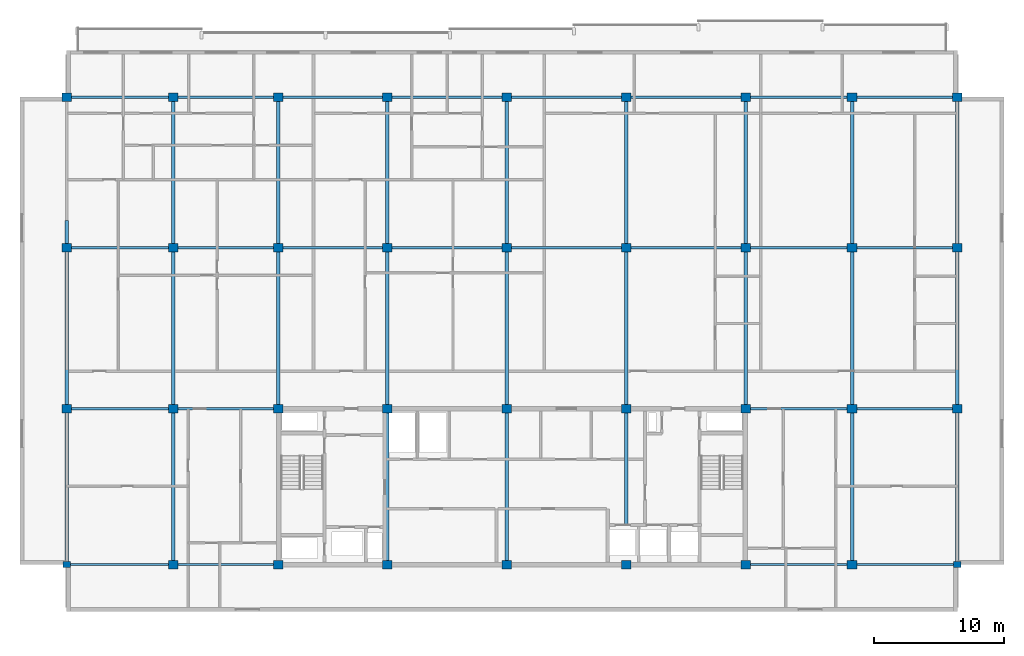
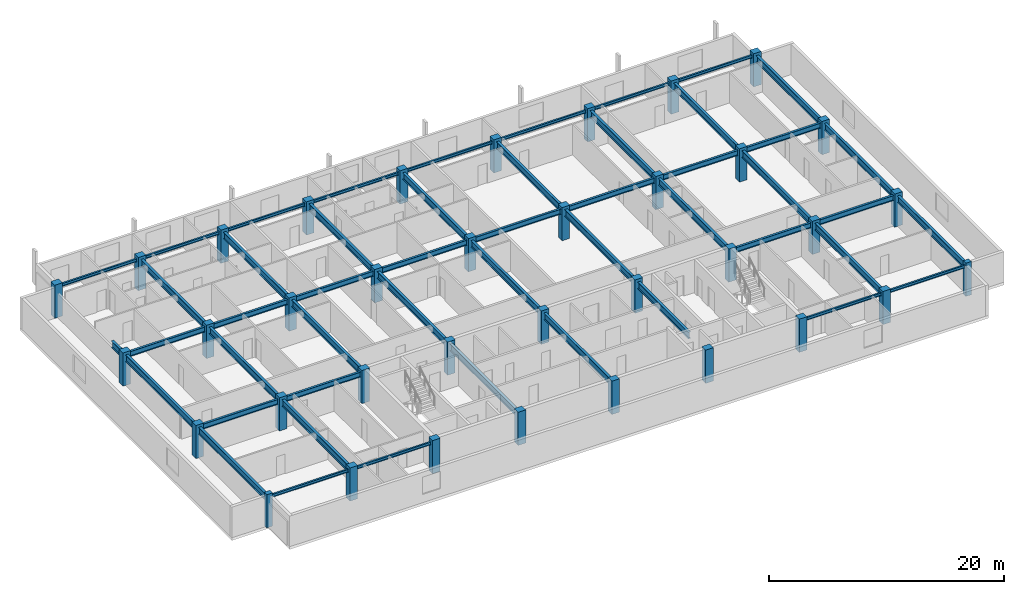
# One storey, part 1 of 11: 49 beams, 36 columns.
"""IFC4 building model written with IfcOpenShell, lengths in metres."""

import ifcopenshell
import ifcopenshell.guid

model = None  # the IFC model being written
_history = None  # IfcOwnerHistory: only IFC2X3 demands one
_inside = {}  # id of a spatial element -> (the spatial element, [elements in it])
_under = {}  # id of a project, library or spatial element -> (it, [spatial elements below it])
_declared = {}  # id of a project -> (the project, [libraries it declares])
_typed = {}  # id of a type object -> (the type object, [elements of that type])
_made_of = {}  # id of a material, layer set ... -> (it, [elements and type objects made of it])


def new_model(schema):
    """Start an empty IFC model of exactly this schema.

    Asked for "IFC4X3", IfcOpenShell would pick the latest addendum, in which some entities
    have other attributes; the version numbers below select the first issue.
    IFC2X3 requires an IfcOwnerHistory on every rooted entity: one is made here for all.
    """
    global model, _history
    if schema == "IFC4X3":
        model = ifcopenshell.file(schema_version=(4, 3, 0, 0))
    else:
        model = ifcopenshell.file(schema=schema)
    _inside.clear()
    _under.clear()
    _declared.clear()
    _typed.clear()
    _made_of.clear()
    _history = None
    if model.schema == "IFC2X3":
        org = make("IfcOrganization", Name="unknown")
        user = make(
            "IfcPersonAndOrganization",
            ThePerson=make("IfcPerson", FamilyName="unknown"),
            TheOrganization=org,
        )
        app = make(
            "IfcApplication",
            ApplicationDeveloper=org,
            Version="unknown",
            ApplicationFullName="unknown",
            ApplicationIdentifier="unknown",
        )
        _history = make(
            "IfcOwnerHistory",
            OwningUser=user,
            OwningApplication=app,
            ChangeAction="ADDED",
            CreationDate=0,
        )
    return model


def make(cls, **values):
    """One entity of the class cls with the attributes given. An attribute that is None is left unset."""
    return model.create_entity(
        cls, **{name: value for name, value in values.items() if value is not None}
    )


def rooted(cls, **values):
    """An entity with a GlobalId (a new one), such as an element, a storey or a relation."""
    return make(cls, GlobalId=ifcopenshell.guid.new(), OwnerHistory=_history, **values)


def si_unit(unit_type, name, prefix=None):
    """IfcSIUnit, for example si_unit("LENGTHUNIT", "METRE", prefix="MILLI")."""
    return make("IfcSIUnit", UnitType=unit_type, Prefix=prefix, Name=name)


def assignment(units):
    """IfcUnitAssignment: the units of a project."""
    return None if units is None else make("IfcUnitAssignment", Units=units)


def point(xyz):
    """IfcCartesianPoint."""
    return None if xyz is None else make("IfcCartesianPoint", Coordinates=xyz)


def direction(xyz):
    """IfcDirection."""
    return None if xyz is None else make("IfcDirection", DirectionRatios=xyz)


def frame(location, z_axis=None, x_axis=None):
    """IfcAxis2Placement3D, a coordinate frame: its origin and axes. An axis left out is left unset."""
    return make(
        "IfcAxis2Placement3D",
        Location=point(location),
        Axis=direction(z_axis),
        RefDirection=direction(x_axis),
    )


def frame_2d(location, x_axis=None):
    """IfcAxis2Placement2D, a coordinate frame in the plane: its origin and x axis."""
    return make(
        "IfcAxis2Placement2D", Location=point(location), RefDirection=direction(x_axis)
    )


def origin():
    """The frame at (0, 0, 0) with its axes left unset."""
    return frame((0.0, 0.0, 0.0))


def origin_2d():
    """The frame at (0, 0) in the plane with its x axis left unset."""
    return frame_2d((0.0, 0.0))


def place(relative_to, where):
    """IfcLocalPlacement: puts the frame where relative to a parent placement (None: the world)."""
    return make(
        "IfcLocalPlacement", PlacementRelTo=relative_to, RelativePlacement=where
    )


def context(
    kind, dimensions, precision=None, world=None, true_north=None, identifier=None
):
    """IfcGeometricRepresentationContext, for example the 3D "Model" context."""
    return make(
        "IfcGeometricRepresentationContext",
        ContextIdentifier=identifier,
        ContextType=kind,
        CoordinateSpaceDimension=dimensions,
        Precision=precision,
        WorldCoordinateSystem=world,
        TrueNorth=true_north,
    )


def subcontext(parent, identifier, kind, view, scale=None):
    """IfcGeometricRepresentationSubContext, for example "Body" below "Model"."""
    return make(
        "IfcGeometricRepresentationSubContext",
        ContextIdentifier=identifier,
        ContextType=kind,
        ParentContext=parent,
        TargetScale=scale,
        TargetView=view,
    )


def project(units=None, contexts=None):
    """IfcProject with its units and contexts."""
    return rooted(
        "IfcProject",
        Name="project",
        RepresentationContexts=contexts,
        UnitsInContext=assignment(units),
    )


def spatial(cls, under=None, at=None, **own):
    """A site, building, storey or space (cls), placed at a placement, below another one or the project."""
    s = rooted(cls, ObjectPlacement=at, **own)
    if under is not None:
        _under.setdefault(under.id(), (under, []))[1].append(s)
    return s


def profile(cls, at=None, kind="AREA", **sizes):
    """A parametric profile (cls). Its sizes go by their IFC names, for example OverallWidth=200.0."""
    return make(cls, ProfileType=kind, Position=at, **sizes)


def rectangle(**sizes):
    """IfcRectangleProfileDef."""
    return profile("IfcRectangleProfileDef", **sizes)


def i_section(**sizes):
    """IfcIShapeProfileDef."""
    return profile("IfcIShapeProfileDef", **sizes)


def extrude(swept, where, along, depth):
    """IfcExtrudedAreaSolid: the profile swept, set in the frame where, extruded along a direction by depth."""
    return make(
        "IfcExtrudedAreaSolid",
        SweptArea=swept,
        Position=where,
        ExtrudedDirection=direction(along),
        Depth=depth,
    )


def shape(context_of_items, identifier, shape_type, items):
    """IfcShapeRepresentation: the items that make up one representation, for example the "Body"."""
    return make(
        "IfcShapeRepresentation",
        ContextOfItems=context_of_items,
        RepresentationIdentifier=identifier,
        RepresentationType=shape_type,
        Items=items,
    )


def material(Name=None, Category=None):
    """IfcMaterial."""
    return make("IfcMaterial", Name=Name, Category=Category)


def material_profile(
    of_material, cross_section, Name=None, Category=None, Priority=None
):
    """IfcMaterialProfile: a cross section and its material."""
    return make(
        "IfcMaterialProfile",
        Name=Name,
        Material=of_material,
        Profile=cross_section,
        Priority=Priority,
        Category=Category,
    )


def profile_set(profiles, Name=None, composite=None):
    """IfcMaterialProfileSet."""
    return make(
        "IfcMaterialProfileSet",
        Name=Name,
        MaterialProfiles=profiles,
        CompositeProfile=composite,
    )


def made_of(thing, what):
    """Note that an element or type object is made of a material, layer set ...; save() writes the relation."""
    if what is not None:
        _made_of.setdefault(what.id(), (what, []))[1].append(thing)
    return thing


def type_object(cls, material=None, **own):
    """A type object (cls), such as IfcWallType, which elements share."""
    return made_of(rooted(cls, **own), material)


def element(
    cls,
    number,
    at=None,
    inside=None,
    cuts=None,
    type_object=None,
    material=None,
    context=None,
    identifier="Body",
    shape_type=None,
    held_by="IfcProductDefinitionShape",
    body=None,
    shapes=None,
    **own,
):
    """One element of the class cls, such as IfcWall. Its Tag is "e" and its number.

    at: its placement. inside: the storey or other place that contains it. cuts: it is an
    opening in that element (IfcRelVoidsElement). A single representation is given by context,
    identifier, shape_type and body (its items); several are given by shapes. held_by: the class
    of the entity that holds the representations. save() writes the other relations.
    """
    e = rooted(cls, Tag="e%d" % number, ObjectPlacement=at, **own)
    if body is not None:
        shapes = [shape(context, identifier, shape_type, body)]
    if shapes is not None:
        e.Representation = make(held_by, Representations=shapes)
    if inside is not None:
        _inside.setdefault(inside.id(), (inside, []))[1].append(e)
    if cuts is not None:
        rooted(
            "IfcRelVoidsElement", RelatingBuildingElement=cuts, RelatedOpeningElement=e
        )
    if type_object is not None:
        _typed.setdefault(type_object.id(), (type_object, []))[1].append(e)
    return made_of(e, material)


def aggregate(whole, parts):
    """IfcRelAggregates: a whole, such as a stair, and the parts it consists of."""
    return rooted("IfcRelAggregates", RelatingObject=whole, RelatedObjects=parts)


def save(model, path):
    """Write the relations noted so far, then the file.

    IfcRelAggregates (storeys below a building ...), IfcRelContainedInSpatialStructure (elements
    in a storey), IfcRelDefinesByType, IfcRelAssociatesMaterial and IfcRelDeclares: one each for
    every whole, place, type object, material and project.
    """
    for whole, parts in _under.values():
        aggregate(whole, parts)
    for where, things in _inside.values():
        rooted(
            "IfcRelContainedInSpatialStructure",
            RelatedElements=things,
            RelatingStructure=where,
        )
    for kind, things in _typed.values():
        rooted("IfcRelDefinesByType", RelatedObjects=things, RelatingType=kind)
    for what, things in _made_of.values():
        rooted("IfcRelAssociatesMaterial", RelatedObjects=things, RelatingMaterial=what)
    for by, libraries in _declared.values():
        rooted("IfcRelDeclares", RelatingContext=by, RelatedDefinitions=libraries)
    model.write(path)


model = new_model("IFC4")

# Units and contexts
model_context = context("Model", 3, precision=1e-05, world=origin(), true_north=direction((0.0, 1.0)))
body_context = subcontext(model_context, "Body", "Model", "MODEL_VIEW")
ifc_project = project(units=[si_unit("LENGTHUNIT", "METRE"), si_unit("AREAUNIT", "SQUARE_METRE"), si_unit("VOLUMEUNIT", "CUBIC_METRE"), si_unit("PLANEANGLEUNIT", "RADIAN"), si_unit("MASSUNIT", "GRAM", prefix="KILO")], contexts=[model_context])

# Site, building, storey
site_placement = place(None, origin())
site = spatial("IfcSite", under=ifc_project, at=site_placement, CompositionType="ELEMENT")
building_placement = place(site_placement, origin())
building = spatial("IfcBuilding", under=site, at=building_placement, Name="Korimba Cascade Residences", CompositionType="ELEMENT")
storey_placement = place(building_placement, frame((0.0, 0.0, 249.35009765625)))
storey = spatial("IfcBuildingStorey", under=building, at=storey_placement, Name="L72", CompositionType="ELEMENT", Elevation=249.35009765625)

# Columns
ifc_material_1 = material(Name="Concrete C65/80", Category="concrete")
ifc_material_profile_1 = material_profile(ifc_material_1, rectangle(XDim=0.550048828125, YDim=0.449951171875, at=origin_2d()), Name="Concrete C65/80")
ifc_profile_set_1 = profile_set([ifc_material_profile_1], Name="Concrete C65/80")
column_type_1 = type_object("IfcColumnType", Name="COL-PIL-550", PredefinedType="PILASTER", material=ifc_profile_set_1)
for number, where, z_axis, x_axis, name in (
    (1, (59.800048828125, 55.199951171875, 0.0), (0.0, 0.0, 1.0), (1.0, 0.0, 0.0), "L72 Tower 1 Column 1.1"),
    (2, (128.39990234375, 55.199951171875, 0.0), (0.0, 0.0, 1.0), (1.0, 0.0, 0.0), "L72 Tower 1 Column 9.1"),
):
    element("IfcColumn", number, at=place(storey_placement, frame(where, z_axis=z_axis, x_axis=x_axis)), inside=storey, type_object=column_type_1, Name=name, PredefinedType="PILASTER", context=body_context, shape_type="SweptSolid", body=[
        extrude(rectangle(XDim=0.550048828125, YDim=0.449951171875, at=origin_2d()), origin(), (0.0, 0.0, 1.0), 3.449951171875),
    ])
ifc_material_2 = material(Name="Concrete C50/60", Category="concrete")
ifc_material_profile_2 = material_profile(ifc_material_2, rectangle(XDim=0.75, YDim=0.64990234375, at=origin_2d()), Name="Concrete C50/60")
ifc_profile_set_2 = profile_set([ifc_material_profile_2], Name="Concrete C50/60")
column_type_2 = type_object("IfcColumnType", Name="COL-RC-750", PredefinedType="COLUMN", material=ifc_profile_set_2)
for number, where, z_axis, x_axis, name in (
    (3, (59.800048828125, 67.199951171875, 0.0), (0.0, 0.0, 1.0), (1.0, 0.0, 0.0), "L72 Tower 1 Column 1.2"),
    (4, (59.800048828125, 79.60009765625, 0.0), (0.0, 0.0, 1.0), (1.0, 0.0, 0.0), "L72 Tower 1 Column 1.3"),
    (5, (59.800048828125, 91.199951171875, 0.0), (0.0, 0.0, 1.0), (1.0, 0.0, 0.0), "L72 Tower 1 Column 1.4"),
    (6, (68.0, 55.199951171875, 0.0), (0.0, 0.0, 1.0), (1.0, 0.0, 0.0), "L72 Tower 1 Column 2.1"),
    (7, (68.0, 67.199951171875, 0.0), (0.0, 0.0, 1.0), (1.0, 0.0, 0.0), "L72 Tower 1 Column 2.2"),
    (8, (68.0, 79.60009765625, 0.0), (0.0, 0.0, 1.0), (1.0, 0.0, 0.0), "L72 Tower 1 Column 2.3"),
    (9, (68.0, 91.199951171875, 0.0), (0.0, 0.0, 1.0), (1.0, 0.0, 0.0), "L72 Tower 1 Column 2.4"),
    (10, (76.10009765625, 55.199951171875, 0.0), (0.0, 0.0, 1.0), (1.0, 0.0, 0.0), "L72 Tower 1 Column 3.1"),
    (11, (76.10009765625, 67.199951171875, 0.0), (0.0, 0.0, 1.0), (1.0, 0.0, 0.0), "L72 Tower 1 Column 3.2"),
    (12, (76.10009765625, 79.60009765625, 0.0), (0.0, 0.0, 1.0), (1.0, 0.0, 0.0), "L72 Tower 1 Column 3.3"),
    (13, (76.10009765625, 91.199951171875, 0.0), (0.0, 0.0, 1.0), (1.0, 0.0, 0.0), "L72 Tower 1 Column 3.4"),
    (14, (84.5, 55.199951171875, 0.0), (0.0, 0.0, 1.0), (1.0, 0.0, 0.0), "L72 Tower 1 Column 4.1"),
    (15, (84.5, 67.199951171875, 0.0), (0.0, 0.0, 1.0), (1.0, 0.0, 0.0), "L72 Tower 1 Column 4.2"),
    (16, (84.5, 79.60009765625, 0.0), (0.0, 0.0, 1.0), (1.0, 0.0, 0.0), "L72 Tower 1 Column 4.3"),
    (17, (84.5, 91.199951171875, 0.0), (0.0, 0.0, 1.0), (1.0, 0.0, 0.0), "L72 Tower 1 Column 4.4"),
    (18, (93.699951171875, 55.199951171875, 0.0), (0.0, 0.0, 1.0), (1.0, 0.0, 0.0), "L72 Tower 1 Column 5.1"),
    (19, (93.699951171875, 67.199951171875, 0.0), (0.0, 0.0, 1.0), (1.0, 0.0, 0.0), "L72 Tower 1 Column 5.2"),
    (20, (93.699951171875, 79.60009765625, 0.0), (0.0, 0.0, 1.0), (1.0, 0.0, 0.0), "L72 Tower 1 Column 5.3"),
    (21, (93.699951171875, 91.199951171875, 0.0), (0.0, 0.0, 1.0), (1.0, 0.0, 0.0), "L72 Tower 1 Column 5.4"),
    (22, (102.89990234375, 55.199951171875, 0.0), (0.0, 0.0, 1.0), (1.0, 0.0, 0.0), "L72 Tower 1 Column 6.1"),
    (23, (102.89990234375, 67.199951171875, 0.0), (0.0, 0.0, 1.0), (1.0, 0.0, 0.0), "L72 Tower 1 Column 6.2"),
    (24, (102.89990234375, 79.60009765625, 0.0), (0.0, 0.0, 1.0), (1.0, 0.0, 0.0), "L72 Tower 1 Column 6.3"),
    (25, (102.89990234375, 91.199951171875, 0.0), (0.0, 0.0, 1.0), (1.0, 0.0, 0.0), "L72 Tower 1 Column 6.4"),
    (26, (112.10009765625, 55.199951171875, 0.0), (0.0, 0.0, 1.0), (1.0, 0.0, 0.0), "L72 Tower 1 Column 7.1"),
    (27, (112.10009765625, 67.199951171875, 0.0), (0.0, 0.0, 1.0), (1.0, 0.0, 0.0), "L72 Tower 1 Column 7.2"),
    (28, (112.10009765625, 79.60009765625, 0.0), (0.0, 0.0, 1.0), (1.0, 0.0, 0.0), "L72 Tower 1 Column 7.3"),
    (29, (112.10009765625, 91.199951171875, 0.0), (0.0, 0.0, 1.0), (1.0, 0.0, 0.0), "L72 Tower 1 Column 7.4"),
    (30, (120.300048828125, 55.199951171875, 0.0), (0.0, 0.0, 1.0), (1.0, 0.0, 0.0), "L72 Tower 1 Column 8.1"),
    (31, (120.300048828125, 67.199951171875, 0.0), (0.0, 0.0, 1.0), (1.0, 0.0, 0.0), "L72 Tower 1 Column 8.2"),
    (32, (120.300048828125, 79.60009765625, 0.0), (0.0, 0.0, 1.0), (1.0, 0.0, 0.0), "L72 Tower 1 Column 8.3"),
    (33, (120.300048828125, 91.199951171875, 0.0), (0.0, 0.0, 1.0), (1.0, 0.0, 0.0), "L72 Tower 1 Column 8.4"),
    (34, (128.39990234375, 67.199951171875, 0.0), (0.0, 0.0, 1.0), (1.0, 0.0, 0.0), "L72 Tower 1 Column 9.2"),
    (35, (128.39990234375, 79.60009765625, 0.0), (0.0, 0.0, 1.0), (1.0, 0.0, 0.0), "L72 Tower 1 Column 9.3"),
    (36, (128.39990234375, 91.199951171875, 0.0), (0.0, 0.0, 1.0), (1.0, 0.0, 0.0), "L72 Tower 1 Column 9.4"),
):
    element("IfcColumn", number, at=place(storey_placement, frame(where, z_axis=z_axis, x_axis=x_axis)), inside=storey, type_object=column_type_2, Name=name, PredefinedType="COLUMN", context=body_context, shape_type="SweptSolid", body=[
        extrude(rectangle(XDim=0.75, YDim=0.64990234375, at=origin_2d()), origin(), (0.0, 0.0, 1.0), 3.449951171875),
    ])

# Beams
ifc_material_3 = material(Name="Steel S355", Category="steel")
ifc_material_profile_3 = material_profile(ifc_material_3, i_section(OverallWidth=0.165771484375, OverallDepth=0.306640625, WebThickness=0.006591796875, FlangeThickness=0.01171875, FilletRadius=0.0087890625, at=origin_2d()), Name="Steel S355")
ifc_profile_set_3 = profile_set([ifc_material_profile_3], Name="Steel S355")
beam_type_1 = type_object("IfcBeamType", Name="BM-STL-UB305", PredefinedType="SPANDREL", material=ifc_profile_set_3)
beam_1_placement = place(storey_placement, frame((60.074951171875, 55.199951171875, 3.0166015625), z_axis=(1.0, 0.0, 0.0), x_axis=(0.0, 1.0, 0.0)))
element("IfcBeam", 37, at=beam_1_placement, inside=storey, type_object=beam_type_1, Name="L72 T1 E-W Girder Y1 Bay 1", PredefinedType="SPANDREL", context=body_context, shape_type="SweptSolid", body=[
    extrude(i_section(OverallWidth=0.165771484375, OverallDepth=0.306640625, WebThickness=0.006591796875, FlangeThickness=0.01171875, FilletRadius=0.0087890625, at=origin_2d()), origin(), (0.0, 0.0, 1.0), 7.550048828125),
])
beam_2_placement = place(storey_placement, frame((68.375, 55.199951171875, 3.0166015625), z_axis=(1.0, 0.0, 0.0), x_axis=(0.0, 1.0, 0.0)))
element("IfcBeam", 38, at=beam_2_placement, inside=storey, type_object=beam_type_1, Name="L72 T1 E-W Girder Y1 Bay 2", PredefinedType="SPANDREL", context=body_context, shape_type="SweptSolid", body=[
    extrude(i_section(OverallWidth=0.165771484375, OverallDepth=0.306640625, WebThickness=0.006591796875, FlangeThickness=0.01171875, FilletRadius=0.0087890625, at=origin_2d()), origin(), (0.0, 0.0, 1.0), 7.35009765625),
])
for number, where, z_axis, x_axis, name in (
    (39, (112.47509765625, 55.199951171875, 3.0166015625), (1.0, 0.0, 0.0), (0.0, 1.0, 0.0), "L72 T1 E-W Girder Y1 Bay 7"),
    (40, (120.675048828125, 55.199951171875, 3.0166015625), (1.0, 0.0, 0.0), (0.0, 1.0, 0.0), "L72 T1 E-W Girder Y1 Bay 8"),
    (41, (60.175048828125, 91.199951171875, 3.0166015625), (1.0, 0.0, 0.0), (0.0, 1.0, 0.0), "L72 T1 E-W Girder Y4 Bay 1"),
):
    element("IfcBeam", number, at=place(storey_placement, frame(where, z_axis=z_axis, x_axis=x_axis)), inside=storey, type_object=beam_type_1, Name=name, PredefinedType="SPANDREL", context=body_context, shape_type="SweptSolid", body=[
        extrude(i_section(OverallWidth=0.165771484375, OverallDepth=0.306640625, WebThickness=0.006591796875, FlangeThickness=0.01171875, FilletRadius=0.0087890625, at=origin_2d()), origin(), (0.0, 0.0, 1.0), 7.449951171875),
    ])
beam_3_placement = place(storey_placement, frame((68.375, 91.199951171875, 3.0166015625), z_axis=(1.0, 0.0, 0.0), x_axis=(0.0, 1.0, 0.0)))
element("IfcBeam", 42, at=beam_3_placement, inside=storey, type_object=beam_type_1, Name="L72 T1 E-W Girder Y4 Bay 2", PredefinedType="SPANDREL", context=body_context, shape_type="SweptSolid", body=[
    extrude(i_section(OverallWidth=0.165771484375, OverallDepth=0.306640625, WebThickness=0.006591796875, FlangeThickness=0.01171875, FilletRadius=0.0087890625, at=origin_2d()), origin(), (0.0, 0.0, 1.0), 7.35009765625),
])
beam_4_placement = place(storey_placement, frame((76.47509765625, 91.199951171875, 3.0166015625), z_axis=(1.0, 0.0, 0.0), x_axis=(0.0, 1.0, 0.0)))
element("IfcBeam", 43, at=beam_4_placement, inside=storey, type_object=beam_type_1, Name="L72 T1 E-W Girder Y4 Bay 3", PredefinedType="SPANDREL", context=body_context, shape_type="SweptSolid", body=[
    extrude(i_section(OverallWidth=0.165771484375, OverallDepth=0.306640625, WebThickness=0.006591796875, FlangeThickness=0.01171875, FilletRadius=0.0087890625, at=origin_2d()), origin(), (0.0, 0.0, 1.0), 7.64990234375),
])
for number, where, z_axis, x_axis, name in (
    (44, (84.875, 91.199951171875, 3.0166015625), (1.0, 0.0, 0.0), (0.0, 1.0, 0.0), "L72 T1 E-W Girder Y4 Bay 4"),
    (45, (94.074951171875, 91.199951171875, 3.0166015625), (1.0, 0.0, 0.0), (0.0, 1.0, 0.0), "L72 T1 E-W Girder Y4 Bay 5"),
):
    element("IfcBeam", number, at=place(storey_placement, frame(where, z_axis=z_axis, x_axis=x_axis)), inside=storey, type_object=beam_type_1, Name=name, PredefinedType="SPANDREL", context=body_context, shape_type="SweptSolid", body=[
        extrude(i_section(OverallWidth=0.165771484375, OverallDepth=0.306640625, WebThickness=0.006591796875, FlangeThickness=0.01171875, FilletRadius=0.0087890625, at=origin_2d()), origin(), (0.0, 0.0, 1.0), 8.449951171875),
    ])
beam_5_placement = place(storey_placement, frame((103.27490234375, 91.199951171875, 3.0166015625), z_axis=(1.0, 0.0, 0.0), x_axis=(0.0, 1.0, 0.0)))
element("IfcBeam", 46, at=beam_5_placement, inside=storey, type_object=beam_type_1, Name="L72 T1 E-W Girder Y4 Bay 6", PredefinedType="SPANDREL", context=body_context, shape_type="SweptSolid", body=[
    extrude(i_section(OverallWidth=0.165771484375, OverallDepth=0.306640625, WebThickness=0.006591796875, FlangeThickness=0.01171875, FilletRadius=0.0087890625, at=origin_2d()), origin(), (0.0, 0.0, 1.0), 8.4501953125),
])
beam_6_placement = place(storey_placement, frame((112.47509765625, 91.199951171875, 3.0166015625), z_axis=(1.0, 0.0, 0.0), x_axis=(0.0, 1.0, 0.0)))
element("IfcBeam", 47, at=beam_6_placement, inside=storey, type_object=beam_type_1, Name="L72 T1 E-W Girder Y4 Bay 7", PredefinedType="SPANDREL", context=body_context, shape_type="SweptSolid", body=[
    extrude(i_section(OverallWidth=0.165771484375, OverallDepth=0.306640625, WebThickness=0.006591796875, FlangeThickness=0.01171875, FilletRadius=0.0087890625, at=origin_2d()), origin(), (0.0, 0.0, 1.0), 7.449951171875),
])
beam_7_placement = place(storey_placement, frame((120.675048828125, 91.199951171875, 3.0166015625), z_axis=(1.0, 0.0, 0.0), x_axis=(0.0, 1.0, 0.0)))
element("IfcBeam", 48, at=beam_7_placement, inside=storey, type_object=beam_type_1, Name="L72 T1 E-W Girder Y4 Bay 8", PredefinedType="SPANDREL", context=body_context, shape_type="SweptSolid", body=[
    extrude(i_section(OverallWidth=0.165771484375, OverallDepth=0.306640625, WebThickness=0.006591796875, FlangeThickness=0.01171875, FilletRadius=0.0087890625, at=origin_2d()), origin(), (0.0, 0.0, 1.0), 7.349853515625),
])
ifc_material_profile_4 = material_profile(ifc_material_3, i_section(OverallWidth=0.2099609375, OverallDepth=0.53662109375, WebThickness=0.0107421875, FlangeThickness=0.017333984375, FilletRadius=0.0126953125, at=origin_2d()), Name="Steel S355")
ifc_profile_set_4 = profile_set([ifc_material_profile_4], Name="Steel S355")
beam_type_2 = type_object("IfcBeamType", Name="BM-STL-UB533", PredefinedType="BEAM", material=ifc_profile_set_4)
beam_8_placement = place(storey_placement, frame((60.175048828125, 67.199951171875, 2.901611328125), z_axis=(1.0, 0.0, 0.0), x_axis=(0.0, 1.0, 0.0)))
element("IfcBeam", 49, at=beam_8_placement, inside=storey, type_object=beam_type_2, Name="L72 T1 E-W Girder Y2 Bay 1", PredefinedType="BEAM", context=body_context, shape_type="SweptSolid", body=[
    extrude(i_section(OverallWidth=0.2099609375, OverallDepth=0.53662109375, WebThickness=0.0107421875, FlangeThickness=0.017333984375, FilletRadius=0.0126953125, at=origin_2d()), origin(), (0.0, 0.0, 1.0), 7.449951171875),
])
beam_9_placement = place(storey_placement, frame((68.375, 67.199951171875, 2.901611328125), z_axis=(1.0, 0.0, 0.0), x_axis=(0.0, 1.0, 0.0)))
element("IfcBeam", 50, at=beam_9_placement, inside=storey, type_object=beam_type_2, Name="L72 T1 E-W Girder Y2 Bay 2", PredefinedType="BEAM", context=body_context, shape_type="SweptSolid", body=[
    extrude(i_section(OverallWidth=0.2099609375, OverallDepth=0.53662109375, WebThickness=0.0107421875, FlangeThickness=0.017333984375, FilletRadius=0.0126953125, at=origin_2d()), origin(), (0.0, 0.0, 1.0), 7.35009765625),
])
beam_10_placement = place(storey_placement, frame((112.47509765625, 67.199951171875, 2.901611328125), z_axis=(1.0, 0.0, 0.0), x_axis=(0.0, 1.0, 0.0)))
element("IfcBeam", 51, at=beam_10_placement, inside=storey, type_object=beam_type_2, Name="L72 T1 E-W Girder Y2 Bay 7", PredefinedType="BEAM", context=body_context, shape_type="SweptSolid", body=[
    extrude(i_section(OverallWidth=0.2099609375, OverallDepth=0.53662109375, WebThickness=0.0107421875, FlangeThickness=0.017333984375, FilletRadius=0.0126953125, at=origin_2d()), origin(), (0.0, 0.0, 1.0), 7.449951171875),
])
beam_11_placement = place(storey_placement, frame((120.675048828125, 67.199951171875, 2.901611328125), z_axis=(1.0, 0.0, 0.0), x_axis=(0.0, 1.0, 0.0)))
element("IfcBeam", 52, at=beam_11_placement, inside=storey, type_object=beam_type_2, Name="L72 T1 E-W Girder Y2 Bay 8", PredefinedType="BEAM", context=body_context, shape_type="SweptSolid", body=[
    extrude(i_section(OverallWidth=0.2099609375, OverallDepth=0.53662109375, WebThickness=0.0107421875, FlangeThickness=0.017333984375, FilletRadius=0.0126953125, at=origin_2d()), origin(), (0.0, 0.0, 1.0), 7.349853515625),
])
beam_12_placement = place(storey_placement, frame((60.175048828125, 79.60009765625, 2.901611328125), z_axis=(1.0, 0.0, 0.0), x_axis=(0.0, 1.0, 0.0)))
element("IfcBeam", 53, at=beam_12_placement, inside=storey, type_object=beam_type_2, Name="L72 T1 E-W Girder Y3 Bay 1", PredefinedType="BEAM", context=body_context, shape_type="SweptSolid", body=[
    extrude(i_section(OverallWidth=0.2099609375, OverallDepth=0.53662109375, WebThickness=0.0107421875, FlangeThickness=0.017333984375, FilletRadius=0.0126953125, at=origin_2d()), origin(), (0.0, 0.0, 1.0), 7.449951171875),
])
beam_13_placement = place(storey_placement, frame((68.375, 79.60009765625, 2.901611328125), z_axis=(1.0, 0.0, 0.0), x_axis=(0.0, 1.0, 0.0)))
element("IfcBeam", 54, at=beam_13_placement, inside=storey, type_object=beam_type_2, Name="L72 T1 E-W Girder Y3 Bay 2", PredefinedType="BEAM", context=body_context, shape_type="SweptSolid", body=[
    extrude(i_section(OverallWidth=0.2099609375, OverallDepth=0.53662109375, WebThickness=0.0107421875, FlangeThickness=0.017333984375, FilletRadius=0.0126953125, at=origin_2d()), origin(), (0.0, 0.0, 1.0), 7.35009765625),
])
beam_14_placement = place(storey_placement, frame((76.47509765625, 79.60009765625, 2.901611328125), z_axis=(1.0, 0.0, 0.0), x_axis=(0.0, 1.0, 0.0)))
element("IfcBeam", 55, at=beam_14_placement, inside=storey, type_object=beam_type_2, Name="L72 T1 E-W Girder Y3 Bay 3", PredefinedType="BEAM", context=body_context, shape_type="SweptSolid", body=[
    extrude(i_section(OverallWidth=0.2099609375, OverallDepth=0.53662109375, WebThickness=0.0107421875, FlangeThickness=0.017333984375, FilletRadius=0.0126953125, at=origin_2d()), origin(), (0.0, 0.0, 1.0), 7.64990234375),
])
for number, where, z_axis, x_axis, name in (
    (56, (84.875, 79.60009765625, 2.901611328125), (1.0, 0.0, 0.0), (0.0, 1.0, 0.0), "L72 T1 E-W Girder Y3 Bay 4"),
    (57, (94.074951171875, 79.60009765625, 2.901611328125), (1.0, 0.0, 0.0), (0.0, 1.0, 0.0), "L72 T1 E-W Girder Y3 Bay 5"),
):
    element("IfcBeam", number, at=place(storey_placement, frame(where, z_axis=z_axis, x_axis=x_axis)), inside=storey, type_object=beam_type_2, Name=name, PredefinedType="BEAM", context=body_context, shape_type="SweptSolid", body=[
        extrude(i_section(OverallWidth=0.2099609375, OverallDepth=0.53662109375, WebThickness=0.0107421875, FlangeThickness=0.017333984375, FilletRadius=0.0126953125, at=origin_2d()), origin(), (0.0, 0.0, 1.0), 8.449951171875),
    ])
beam_15_placement = place(storey_placement, frame((103.27490234375, 79.60009765625, 2.901611328125), z_axis=(1.0, 0.0, 0.0), x_axis=(0.0, 1.0, 0.0)))
element("IfcBeam", 58, at=beam_15_placement, inside=storey, type_object=beam_type_2, Name="L72 T1 E-W Girder Y3 Bay 6", PredefinedType="BEAM", context=body_context, shape_type="SweptSolid", body=[
    extrude(i_section(OverallWidth=0.2099609375, OverallDepth=0.53662109375, WebThickness=0.0107421875, FlangeThickness=0.017333984375, FilletRadius=0.0126953125, at=origin_2d()), origin(), (0.0, 0.0, 1.0), 8.4501953125),
])
beam_16_placement = place(storey_placement, frame((112.47509765625, 79.60009765625, 2.901611328125), z_axis=(1.0, 0.0, 0.0), x_axis=(0.0, 1.0, 0.0)))
element("IfcBeam", 59, at=beam_16_placement, inside=storey, type_object=beam_type_2, Name="L72 T1 E-W Girder Y3 Bay 7", PredefinedType="BEAM", context=body_context, shape_type="SweptSolid", body=[
    extrude(i_section(OverallWidth=0.2099609375, OverallDepth=0.53662109375, WebThickness=0.0107421875, FlangeThickness=0.017333984375, FilletRadius=0.0126953125, at=origin_2d()), origin(), (0.0, 0.0, 1.0), 7.449951171875),
])
beam_17_placement = place(storey_placement, frame((120.675048828125, 79.60009765625, 2.901611328125), z_axis=(1.0, 0.0, 0.0), x_axis=(0.0, 1.0, 0.0)))
element("IfcBeam", 60, at=beam_17_placement, inside=storey, type_object=beam_type_2, Name="L72 T1 E-W Girder Y3 Bay 8", PredefinedType="BEAM", context=body_context, shape_type="SweptSolid", body=[
    extrude(i_section(OverallWidth=0.2099609375, OverallDepth=0.53662109375, WebThickness=0.0107421875, FlangeThickness=0.017333984375, FilletRadius=0.0126953125, at=origin_2d()), origin(), (0.0, 0.0, 1.0), 7.349853515625),
])
ifc_material_profile_5 = material_profile(ifc_material_3, i_section(OverallWidth=0.255859375, OverallDepth=0.69287109375, WebThickness=0.014404296875, FlangeThickness=0.023681640625, FilletRadius=0.01513671875, at=origin_2d()), Name="Steel S355")
ifc_profile_set_5 = profile_set([ifc_material_profile_5], Name="Steel S355")
beam_type_3 = type_object("IfcBeamType", Name="BM-STL-UB686", PredefinedType="BEAM", material=ifc_profile_set_5)
beam_18_placement = place(storey_placement, frame((59.800048828125, 55.425048828125, 2.823486328125), z_axis=(0.0, 1.0, 0.0), x_axis=(-1.0, 0.0, 0.0)))
element("IfcBeam", 61, at=beam_18_placement, inside=storey, type_object=beam_type_3, Name="L72 T1 N-S Girder X1 Seg 1", PredefinedType="BEAM", context=body_context, shape_type="SweptSolid", body=[
    extrude(i_section(OverallWidth=0.255859375, OverallDepth=0.69287109375, WebThickness=0.014404296875, FlangeThickness=0.023681640625, FilletRadius=0.01513671875, at=origin_2d()), origin(), (0.0, 0.0, 1.0), 11.449951171875),
])
beam_19_placement = place(storey_placement, frame((59.800048828125, 67.52490234375, 2.823486328125), z_axis=(0.0, 1.0, 0.0), x_axis=(-1.0, 0.0, 0.0)))
element("IfcBeam", 62, at=beam_19_placement, inside=storey, type_object=beam_type_3, Name="L72 T1 N-S Girder X1 Seg 2", PredefinedType="BEAM", context=body_context, shape_type="SweptSolid", body=[
    extrude(i_section(OverallWidth=0.255859375, OverallDepth=0.69287109375, WebThickness=0.014404296875, FlangeThickness=0.023681640625, FilletRadius=0.01513671875, at=origin_2d()), origin(), (0.0, 0.0, 1.0), 11.75),
])
beam_20_placement = place(storey_placement, frame((59.800048828125, 79.925048828125, 2.823486328125), z_axis=(0.0, 1.0, 0.0), x_axis=(-1.0, 0.0, 0.0)))
element("IfcBeam", 63, at=beam_20_placement, inside=storey, type_object=beam_type_3, Name="L72 T1 N-S Girder X1 Seg 3", PredefinedType="BEAM", context=body_context, shape_type="SweptSolid", body=[
    extrude(i_section(OverallWidth=0.255859375, OverallDepth=0.69287109375, WebThickness=0.014404296875, FlangeThickness=0.023681640625, FilletRadius=0.01513671875, at=origin_2d()), origin(), (0.0, 0.0, 1.0), 1.77490234375),
])
beam_21_placement = place(storey_placement, frame((68.0, 55.52490234375, 2.823486328125), z_axis=(0.0, 1.0, 0.0), x_axis=(-1.0, 0.0, 0.0)))
element("IfcBeam", 64, at=beam_21_placement, inside=storey, type_object=beam_type_3, Name="L72 T1 N-S Girder X2 Seg 1", PredefinedType="BEAM", context=body_context, shape_type="SweptSolid", body=[
    extrude(i_section(OverallWidth=0.255859375, OverallDepth=0.69287109375, WebThickness=0.014404296875, FlangeThickness=0.023681640625, FilletRadius=0.01513671875, at=origin_2d()), origin(), (0.0, 0.0, 1.0), 11.35009765625),
])
beam_22_placement = place(storey_placement, frame((68.0, 67.52490234375, 2.823486328125), z_axis=(0.0, 1.0, 0.0), x_axis=(-1.0, 0.0, 0.0)))
element("IfcBeam", 65, at=beam_22_placement, inside=storey, type_object=beam_type_3, Name="L72 T1 N-S Girder X2 Seg 2", PredefinedType="BEAM", context=body_context, shape_type="SweptSolid", body=[
    extrude(i_section(OverallWidth=0.255859375, OverallDepth=0.69287109375, WebThickness=0.014404296875, FlangeThickness=0.023681640625, FilletRadius=0.01513671875, at=origin_2d()), origin(), (0.0, 0.0, 1.0), 11.75),
])
beam_23_placement = place(storey_placement, frame((68.0, 79.925048828125, 2.823486328125), z_axis=(0.0, 1.0, 0.0), x_axis=(-1.0, 0.0, 0.0)))
element("IfcBeam", 66, at=beam_23_placement, inside=storey, type_object=beam_type_3, Name="L72 T1 N-S Girder X2 Seg 3", PredefinedType="BEAM", context=body_context, shape_type="SweptSolid", body=[
    extrude(i_section(OverallWidth=0.255859375, OverallDepth=0.69287109375, WebThickness=0.014404296875, FlangeThickness=0.023681640625, FilletRadius=0.01513671875, at=origin_2d()), origin(), (0.0, 0.0, 1.0), 10.949951171875),
])
beam_24_placement = place(storey_placement, frame((76.10009765625, 67.52490234375, 2.823486328125), z_axis=(0.0, 1.0, 0.0), x_axis=(-1.0, 0.0, 0.0)))
element("IfcBeam", 67, at=beam_24_placement, inside=storey, type_object=beam_type_3, Name="L72 T1 N-S Girder X3 Seg 2", PredefinedType="BEAM", context=body_context, shape_type="SweptSolid", body=[
    extrude(i_section(OverallWidth=0.255859375, OverallDepth=0.69287109375, WebThickness=0.014404296875, FlangeThickness=0.023681640625, FilletRadius=0.01513671875, at=origin_2d()), origin(), (0.0, 0.0, 1.0), 11.75),
])
beam_25_placement = place(storey_placement, frame((76.10009765625, 79.925048828125, 2.823486328125), z_axis=(0.0, 1.0, 0.0), x_axis=(-1.0, 0.0, 0.0)))
element("IfcBeam", 68, at=beam_25_placement, inside=storey, type_object=beam_type_3, Name="L72 T1 N-S Girder X3 Seg 3", PredefinedType="BEAM", context=body_context, shape_type="SweptSolid", body=[
    extrude(i_section(OverallWidth=0.255859375, OverallDepth=0.69287109375, WebThickness=0.014404296875, FlangeThickness=0.023681640625, FilletRadius=0.01513671875, at=origin_2d()), origin(), (0.0, 0.0, 1.0), 10.949951171875),
])
beam_26_placement = place(storey_placement, frame((84.5, 55.52490234375, 2.823486328125), z_axis=(0.0, 1.0, 0.0), x_axis=(-1.0, 0.0, 0.0)))
element("IfcBeam", 69, at=beam_26_placement, inside=storey, type_object=beam_type_3, Name="L72 T1 N-S Girder X4 Seg 1", PredefinedType="BEAM", context=body_context, shape_type="SweptSolid", body=[
    extrude(i_section(OverallWidth=0.255859375, OverallDepth=0.69287109375, WebThickness=0.014404296875, FlangeThickness=0.023681640625, FilletRadius=0.01513671875, at=origin_2d()), origin(), (0.0, 0.0, 1.0), 11.35009765625),
])
beam_27_placement = place(storey_placement, frame((84.5, 67.52490234375, 2.823486328125), z_axis=(0.0, 1.0, 0.0), x_axis=(-1.0, 0.0, 0.0)))
element("IfcBeam", 70, at=beam_27_placement, inside=storey, type_object=beam_type_3, Name="L72 T1 N-S Girder X4 Seg 2", PredefinedType="BEAM", context=body_context, shape_type="SweptSolid", body=[
    extrude(i_section(OverallWidth=0.255859375, OverallDepth=0.69287109375, WebThickness=0.014404296875, FlangeThickness=0.023681640625, FilletRadius=0.01513671875, at=origin_2d()), origin(), (0.0, 0.0, 1.0), 11.75),
])
beam_28_placement = place(storey_placement, frame((84.5, 79.925048828125, 2.823486328125), z_axis=(0.0, 1.0, 0.0), x_axis=(-1.0, 0.0, 0.0)))
element("IfcBeam", 71, at=beam_28_placement, inside=storey, type_object=beam_type_3, Name="L72 T1 N-S Girder X4 Seg 3", PredefinedType="BEAM", context=body_context, shape_type="SweptSolid", body=[
    extrude(i_section(OverallWidth=0.255859375, OverallDepth=0.69287109375, WebThickness=0.014404296875, FlangeThickness=0.023681640625, FilletRadius=0.01513671875, at=origin_2d()), origin(), (0.0, 0.0, 1.0), 10.949951171875),
])
beam_29_placement = place(storey_placement, frame((93.699951171875, 55.52490234375, 2.823486328125), z_axis=(0.0, 1.0, 0.0), x_axis=(-1.0, 0.0, 0.0)))
element("IfcBeam", 72, at=beam_29_placement, inside=storey, type_object=beam_type_3, Name="L72 T1 N-S Girder X5 Seg 1", PredefinedType="BEAM", context=body_context, shape_type="SweptSolid", body=[
    extrude(i_section(OverallWidth=0.255859375, OverallDepth=0.69287109375, WebThickness=0.014404296875, FlangeThickness=0.023681640625, FilletRadius=0.01513671875, at=origin_2d()), origin(), (0.0, 0.0, 1.0), 11.35009765625),
])
beam_30_placement = place(storey_placement, frame((93.699951171875, 67.52490234375, 2.823486328125), z_axis=(0.0, 1.0, 0.0), x_axis=(-1.0, 0.0, 0.0)))
element("IfcBeam", 73, at=beam_30_placement, inside=storey, type_object=beam_type_3, Name="L72 T1 N-S Girder X5 Seg 2", PredefinedType="BEAM", context=body_context, shape_type="SweptSolid", body=[
    extrude(i_section(OverallWidth=0.255859375, OverallDepth=0.69287109375, WebThickness=0.014404296875, FlangeThickness=0.023681640625, FilletRadius=0.01513671875, at=origin_2d()), origin(), (0.0, 0.0, 1.0), 11.75),
])
beam_31_placement = place(storey_placement, frame((93.699951171875, 79.925048828125, 2.823486328125), z_axis=(0.0, 1.0, 0.0), x_axis=(-1.0, 0.0, 0.0)))
element("IfcBeam", 74, at=beam_31_placement, inside=storey, type_object=beam_type_3, Name="L72 T1 N-S Girder X5 Seg 3", PredefinedType="BEAM", context=body_context, shape_type="SweptSolid", body=[
    extrude(i_section(OverallWidth=0.255859375, OverallDepth=0.69287109375, WebThickness=0.014404296875, FlangeThickness=0.023681640625, FilletRadius=0.01513671875, at=origin_2d()), origin(), (0.0, 0.0, 1.0), 10.949951171875),
])
beam_32_placement = place(storey_placement, frame((102.89990234375, 58.260009765625, 2.823486328125), z_axis=(0.0, 1.0, 0.0), x_axis=(-1.0, 0.0, 0.0)))
element("IfcBeam", 75, at=beam_32_placement, inside=storey, type_object=beam_type_3, Name="L72 T1 N-S Girder X6 Seg 1", PredefinedType="BEAM", context=body_context, shape_type="SweptSolid", body=[
    extrude(i_section(OverallWidth=0.255859375, OverallDepth=0.69287109375, WebThickness=0.014404296875, FlangeThickness=0.023681640625, FilletRadius=0.01513671875, at=origin_2d()), origin(), (0.0, 0.0, 1.0), 8.614990234375),
])
beam_33_placement = place(storey_placement, frame((102.89990234375, 67.52490234375, 2.823486328125), z_axis=(0.0, 1.0, 0.0), x_axis=(-1.0, 0.0, 0.0)))
element("IfcBeam", 76, at=beam_33_placement, inside=storey, type_object=beam_type_3, Name="L72 T1 N-S Girder X6 Seg 2", PredefinedType="BEAM", context=body_context, shape_type="SweptSolid", body=[
    extrude(i_section(OverallWidth=0.255859375, OverallDepth=0.69287109375, WebThickness=0.014404296875, FlangeThickness=0.023681640625, FilletRadius=0.01513671875, at=origin_2d()), origin(), (0.0, 0.0, 1.0), 11.75),
])
beam_34_placement = place(storey_placement, frame((102.89990234375, 79.925048828125, 2.823486328125), z_axis=(0.0, 1.0, 0.0), x_axis=(-1.0, 0.0, 0.0)))
element("IfcBeam", 77, at=beam_34_placement, inside=storey, type_object=beam_type_3, Name="L72 T1 N-S Girder X6 Seg 3", PredefinedType="BEAM", context=body_context, shape_type="SweptSolid", body=[
    extrude(i_section(OverallWidth=0.255859375, OverallDepth=0.69287109375, WebThickness=0.014404296875, FlangeThickness=0.023681640625, FilletRadius=0.01513671875, at=origin_2d()), origin(), (0.0, 0.0, 1.0), 10.949951171875),
])
beam_35_placement = place(storey_placement, frame((112.10009765625, 67.52490234375, 2.823486328125), z_axis=(0.0, 1.0, 0.0), x_axis=(-1.0, 0.0, 0.0)))
element("IfcBeam", 78, at=beam_35_placement, inside=storey, type_object=beam_type_3, Name="L72 T1 N-S Girder X7 Seg 2", PredefinedType="BEAM", context=body_context, shape_type="SweptSolid", body=[
    extrude(i_section(OverallWidth=0.255859375, OverallDepth=0.69287109375, WebThickness=0.014404296875, FlangeThickness=0.023681640625, FilletRadius=0.01513671875, at=origin_2d()), origin(), (0.0, 0.0, 1.0), 11.75),
])
beam_36_placement = place(storey_placement, frame((112.10009765625, 79.925048828125, 2.823486328125), z_axis=(0.0, 1.0, 0.0), x_axis=(-1.0, 0.0, 0.0)))
element("IfcBeam", 79, at=beam_36_placement, inside=storey, type_object=beam_type_3, Name="L72 T1 N-S Girder X7 Seg 3", PredefinedType="BEAM", context=body_context, shape_type="SweptSolid", body=[
    extrude(i_section(OverallWidth=0.255859375, OverallDepth=0.69287109375, WebThickness=0.014404296875, FlangeThickness=0.023681640625, FilletRadius=0.01513671875, at=origin_2d()), origin(), (0.0, 0.0, 1.0), 10.949951171875),
])
beam_37_placement = place(storey_placement, frame((120.300048828125, 55.52490234375, 2.823486328125), z_axis=(0.0, 1.0, 0.0), x_axis=(-1.0, 0.0, 0.0)))
element("IfcBeam", 80, at=beam_37_placement, inside=storey, type_object=beam_type_3, Name="L72 T1 N-S Girder X8 Seg 1", PredefinedType="BEAM", context=body_context, shape_type="SweptSolid", body=[
    extrude(i_section(OverallWidth=0.255859375, OverallDepth=0.69287109375, WebThickness=0.014404296875, FlangeThickness=0.023681640625, FilletRadius=0.01513671875, at=origin_2d()), origin(), (0.0, 0.0, 1.0), 11.35009765625),
])
beam_38_placement = place(storey_placement, frame((120.300048828125, 67.52490234375, 2.823486328125), z_axis=(0.0, 1.0, 0.0), x_axis=(-1.0, 0.0, 0.0)))
element("IfcBeam", 81, at=beam_38_placement, inside=storey, type_object=beam_type_3, Name="L72 T1 N-S Girder X8 Seg 2", PredefinedType="BEAM", context=body_context, shape_type="SweptSolid", body=[
    extrude(i_section(OverallWidth=0.255859375, OverallDepth=0.69287109375, WebThickness=0.014404296875, FlangeThickness=0.023681640625, FilletRadius=0.01513671875, at=origin_2d()), origin(), (0.0, 0.0, 1.0), 11.75),
])
beam_39_placement = place(storey_placement, frame((120.300048828125, 79.925048828125, 2.823486328125), z_axis=(0.0, 1.0, 0.0), x_axis=(-1.0, 0.0, 0.0)))
element("IfcBeam", 82, at=beam_39_placement, inside=storey, type_object=beam_type_3, Name="L72 T1 N-S Girder X8 Seg 3", PredefinedType="BEAM", context=body_context, shape_type="SweptSolid", body=[
    extrude(i_section(OverallWidth=0.255859375, OverallDepth=0.69287109375, WebThickness=0.014404296875, FlangeThickness=0.023681640625, FilletRadius=0.01513671875, at=origin_2d()), origin(), (0.0, 0.0, 1.0), 10.949951171875),
])
beam_40_placement = place(storey_placement, frame((128.39990234375, 55.425048828125, 2.823486328125), z_axis=(0.0, 1.0, 0.0), x_axis=(-1.0, 0.0, 0.0)))
element("IfcBeam", 83, at=beam_40_placement, inside=storey, type_object=beam_type_3, Name="L72 T1 N-S Girder X9 Seg 1", PredefinedType="BEAM", context=body_context, shape_type="SweptSolid", body=[
    extrude(i_section(OverallWidth=0.255859375, OverallDepth=0.69287109375, WebThickness=0.014404296875, FlangeThickness=0.023681640625, FilletRadius=0.01513671875, at=origin_2d()), origin(), (0.0, 0.0, 1.0), 11.449951171875),
])
beam_41_placement = place(storey_placement, frame((128.39990234375, 67.52490234375, 2.823486328125), z_axis=(0.0, 1.0, 0.0), x_axis=(-1.0, 0.0, 0.0)))
element("IfcBeam", 84, at=beam_41_placement, inside=storey, type_object=beam_type_3, Name="L72 T1 N-S Girder X9 Seg 2", PredefinedType="BEAM", context=body_context, shape_type="SweptSolid", body=[
    extrude(i_section(OverallWidth=0.255859375, OverallDepth=0.69287109375, WebThickness=0.014404296875, FlangeThickness=0.023681640625, FilletRadius=0.01513671875, at=origin_2d()), origin(), (0.0, 0.0, 1.0), 11.75),
])
beam_42_placement = place(storey_placement, frame((128.39990234375, 79.925048828125, 2.823486328125), z_axis=(0.0, 1.0, 0.0), x_axis=(-1.0, 0.0, 0.0)))
element("IfcBeam", 85, at=beam_42_placement, inside=storey, type_object=beam_type_3, Name="L72 T1 N-S Girder X9 Seg 3", PredefinedType="BEAM", context=body_context, shape_type="SweptSolid", body=[
    extrude(i_section(OverallWidth=0.255859375, OverallDepth=0.69287109375, WebThickness=0.014404296875, FlangeThickness=0.023681640625, FilletRadius=0.01513671875, at=origin_2d()), origin(), (0.0, 0.0, 1.0), 10.949951171875),
])

save(model, "model.ifc")
